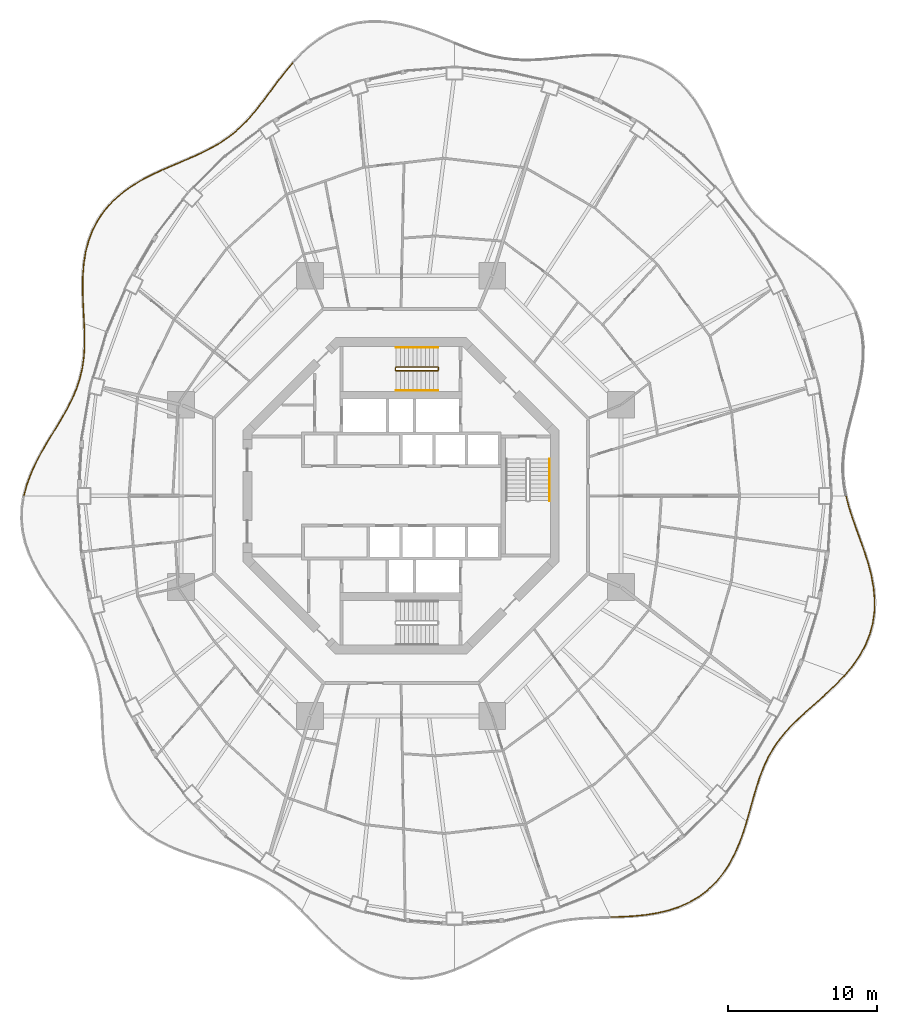
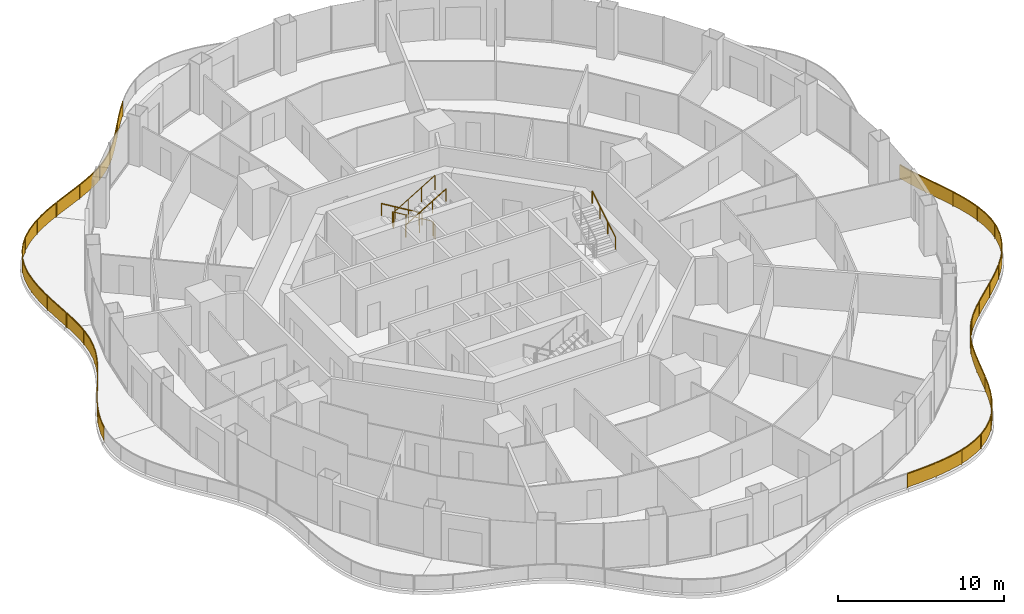
# One storey, part 18 of 19: 10 railings.
"""IFC4 building model written with IfcOpenShell, lengths in metres."""

from ifc_helpers import new_model, si_unit, direction, frame, origin, origin_2d, place, context, subcontext, project, spatial, polyline, rectangle, circle, outline, extrude, material, type_object, element, save


model = new_model("IFC4")

# Units and contexts
model_context = context("Model", 3, precision=1e-05, world=origin(), true_north=direction((0.0, 1.0)))
body_context = subcontext(model_context, "Body", "Model", "MODEL_VIEW")
ifc_project = project(units=[si_unit("LENGTHUNIT", "METRE"), si_unit("AREAUNIT", "SQUARE_METRE"), si_unit("VOLUMEUNIT", "CUBIC_METRE"), si_unit("PLANEANGLEUNIT", "RADIAN"), si_unit("MASSUNIT", "GRAM", prefix="KILO")], contexts=[model_context])

# Site, building, storey
site_placement = place(None, origin())
site = spatial("IfcSite", under=ifc_project, at=site_placement, CompositionType="ELEMENT")
building_placement = place(site_placement, origin())
building = spatial("IfcBuilding", under=site, at=building_placement, Name="Nagisa Residences", CompositionType="ELEMENT")
storey_placement = place(building_placement, frame((0.0, 0.0, 173.300048828125)))
storey = spatial("IfcBuildingStorey", under=building, at=storey_placement, Name="L43", CompositionType="ELEMENT", Elevation=173.300048828125)

# Railings
ifc_material_1 = material(Name="Stainless steel 316", Category="steel")
railing_type_1 = type_object("IfcRailingType", Name="BALCONY GUARD 1100", PredefinedType="BALUSTRADE", material=ifc_material_1)
railing_1_placement = place(storey_placement, frame((-7.27685546875, 29.069580078125, 0.0)))
element("IfcRailing", 1, at=railing_1_placement, inside=storey, type_object=railing_type_1, Name="guard:L43:bal05-0", PredefinedType="BALUSTRADE", context=body_context, shape_type="SweptSolid", body=[
    extrude(outline(polyline([(-0.459228515625, -0.583984375), (0.01904296875, -0.01611328125), (-0.01904296875, 0.01611328125), (-0.498291015625, -0.55224609375), (-0.9814453125, -1.16943359375), (-1.444580078125, -1.786865234375), (-1.895263671875, -2.3916015625), (-2.342529296875, -2.972412109375), (-2.7822265625, -3.511474609375), (-3.25, -4.0205078125), (-3.740966796875, -4.4873046875), (-4.2607421875, -4.91162109375), (-4.813720703125, -5.296142578125), (-5.390380859375, -5.634765625), (-6.0146484375, -5.956298828125), (-6.6708984375, -6.2587890625), (-7.353515625, -6.552490234375), (-8.0546875, -6.847900390625), (-8.723388671875, -7.135498046875), (-8.703369140625, -7.181396484375), (-8.03515625, -6.893798828125), (-7.333984375, -6.598388671875), (-6.650390625, -6.3046875), (-5.99267578125, -6.001220703125), (-5.366455078125, -5.6787109375), (-4.786865234375, -5.338134765625), (-4.23046875, -4.95166015625), (-3.707763671875, -4.52490234375), (-3.21435546875, -4.0556640625), (-2.744140625, -3.544189453125), (-2.303466796875, -3.003662109375), (-1.855224609375, -2.421875), (-1.404541015625, -1.816650390625), (-0.94189453125, -1.19970703125), (-0.459228515625, -0.583984375)])), frame((0.0, 0.0, 1.050048828125)), (0.0, 0.0, 1.0), 0.050048828125),
    extrude(outline(polyline([(-0.473388671875, -0.572509765625), (0.00537109375, -0.00439453125), (-0.00537109375, 0.00439453125), (-0.484130859375, -0.563720703125), (-0.96728515625, -1.180419921875), (-1.43017578125, -1.797607421875), (-1.880859375, -2.402587890625), (-2.328369140625, -2.983642578125), (-2.7685546875, -3.523193359375), (-3.237060546875, -4.033203125), (-3.72900390625, -4.500732421875), (-4.249755859375, -4.926025390625), (-4.803955078125, -5.311279296875), (-5.3818359375, -5.650634765625), (-6.0068359375, -5.972412109375), (-6.66357421875, -6.275390625), (-7.346435546875, -6.569091796875), (-8.047607421875, -6.864501953125), (-8.716064453125, -7.152099609375), (-8.710693359375, -7.164794921875), (-8.042236328125, -6.877197265625), (-7.341064453125, -6.581787109375), (-6.65771484375, -6.2880859375), (-6.00048828125, -5.985107421875), (-5.375, -5.662841796875), (-4.796630859375, -5.322998046875), (-4.241455078125, -4.937255859375), (-3.7197265625, -4.511474609375), (-3.227294921875, -4.04296875), (-2.7578125, -3.532470703125), (-2.317626953125, -2.992431640625), (-1.86962890625, -2.410888671875), (-1.4189453125, -1.805908203125), (-0.9560546875, -1.188720703125), (-0.473388671875, -0.572509765625)])), frame((0.0, 0.0, 0.06005859375)), (0.0, 0.0, 1.0), 0.989990234375),
    extrude(rectangle(XDim=0.0400390625, YDim=0.0400390625, at=origin_2d()), origin(), (0.0, 0.0, 1.0), 1.050048828125),
    extrude(rectangle(XDim=0.0400390625, YDim=0.0400390625, at=origin_2d()), frame((-1.429931640625, -1.808837890625, 0.0)), (0.0, 0.0, 1.0), 1.050048828125),
    extrude(rectangle(XDim=0.0400390625, YDim=0.0400390625, at=origin_2d()), frame((-2.8515625, -3.6240234375, 0.0)), (0.0, 0.0, 1.0), 1.050048828125),
    extrude(rectangle(XDim=0.0400390625, YDim=0.0400390625, at=origin_2d()), frame((-4.567626953125, -5.1552734375, 0.0)), (0.0, 0.0, 1.0), 1.050048828125),
    extrude(rectangle(XDim=0.0400390625, YDim=0.0400390625, at=origin_2d()), frame((-6.59326171875, -6.250732421875, 0.0)), (0.0, 0.0, 1.0), 1.050048828125),
    extrude(rectangle(XDim=0.0400390625, YDim=0.0400390625, at=origin_2d()), frame((-8.71337890625, -7.158447265625, 0.0)), (0.0, 0.0, 1.0), 1.050048828125),
])
railing_2_placement = place(storey_placement, frame((-16.060791015625, 21.881103515625, 0.0)))
element("IfcRailing", 2, at=railing_2_placement, inside=storey, type_object=railing_type_1, Name="guard:L43:bal06-0", PredefinedType="BALUSTRADE", context=body_context, shape_type="SweptSolid", body=[
    extrude(outline(polyline([(-0.689208984375, -0.34814453125), (0.010498046875, -0.022705078125), (-0.010498046875, 0.022705078125), (-0.711669921875, -0.30322265625), (-1.435791015625, -0.6865234375), (-2.127685546875, -1.11328125), (-2.773681640625, -1.590576171875), (-3.3603515625, -2.12060546875), (-3.87109375, -2.695068359375), (-4.312255859375, -3.333740234375), (-4.672119140625, -4.021484375), (-4.949951171875, -4.751953125), (-5.148681640625, -5.5166015625), (-5.268310546875, -6.294189453125), (-5.33203125, -7.100830078125), (-5.346435546875, -7.91455078125), (-5.325927734375, -8.7265625), (-5.287109375, -9.529052734375), (-5.246826171875, -10.2724609375), (-5.197021484375, -10.26953125), (-5.2373046875, -9.526611328125), (-5.276123046875, -8.724609375), (-5.296142578125, -7.91455078125), (-5.2822265625, -7.103271484375), (-5.218505859375, -6.300048828125), (-5.099365234375, -5.52685546875), (-4.902099609375, -4.76708984375), (-4.626220703125, -4.0419921875), (-4.269287109375, -3.359619140625), (-3.83154296875, -2.725830078125), (-3.32470703125, -2.15576171875), (-2.741943359375, -1.629150390625), (-2.099853515625, -1.15478515625), (-1.410888671875, -0.72998046875), (-0.689208984375, -0.34814453125)])), frame((0.0, 0.0, 1.050048828125)), (0.0, 0.0, 1.0), 0.050048828125),
    extrude(outline(polyline([(-0.697265625, -0.33203125), (0.0029296875, -0.00634765625), (-0.0029296875, 0.00634765625), (-0.70361328125, -0.3193359375), (-1.4267578125, -0.7021484375), (-2.11767578125, -1.128173828125), (-2.76220703125, -1.6044921875), (-3.347412109375, -2.13330078125), (-3.85693359375, -2.7060546875), (-4.296875, -3.343017578125), (-4.655517578125, -4.02880859375), (-4.9326171875, -4.75732421875), (-5.130859375, -5.520263671875), (-5.250244140625, -6.29638671875), (-5.314208984375, -7.101806640625), (-5.328369140625, -7.91455078125), (-5.30810546875, -8.725830078125), (-5.269287109375, -9.528076171875), (-5.22900390625, -10.271484375), (-5.21484375, -10.2705078125), (-5.255126953125, -9.527587890625), (-5.2939453125, -8.725341796875), (-5.314208984375, -7.91455078125), (-5.300048828125, -7.102294921875), (-5.236572265625, -6.2978515625), (-5.1171875, -5.523193359375), (-4.91943359375, -4.76171875), (-4.642822265625, -4.03466796875), (-4.28466796875, -3.350341796875), (-3.845703125, -2.71484375), (-3.337646484375, -2.14306640625), (-2.75341796875, -1.615234375), (-2.10986328125, -1.139892578125), (-1.419921875, -0.71435546875), (-0.697265625, -0.33203125)])), frame((0.0, 0.0, 0.06005859375)), (0.0, 0.0, 1.0), 0.989990234375),
    extrude(rectangle(XDim=0.0400390625, YDim=0.0400390625, at=origin_2d()), origin(), (0.0, 0.0, 1.0), 1.050048828125),
    extrude(rectangle(XDim=0.0400390625, YDim=0.0400390625, at=origin_2d()), frame((-1.861572265625, -0.978515625, 0.0)), (0.0, 0.0, 1.0), 1.050048828125),
    extrude(rectangle(XDim=0.0400390625, YDim=0.0400390625, at=origin_2d()), frame((-3.489013671875, -2.302734375, 0.0)), (0.0, 0.0, 1.0), 1.050048828125),
    extrude(rectangle(XDim=0.0400390625, YDim=0.0400390625, at=origin_2d()), frame((-4.654052734375, -4.04443359375, 0.0)), (0.0, 0.0, 1.0), 1.050048828125),
    extrude(rectangle(XDim=0.0400390625, YDim=0.0400390625, at=origin_2d()), frame((-5.2080078125, -6.06787109375, 0.0)), (0.0, 0.0, 1.0), 1.050048828125),
    extrude(rectangle(XDim=0.0400390625, YDim=0.0400390625, at=origin_2d()), frame((-5.31494140625, -8.16796875, 0.0)), (0.0, 0.0, 1.0), 1.050048828125),
    extrude(rectangle(XDim=0.0400390625, YDim=0.0400390625, at=origin_2d()), frame((-5.221923828125, -10.27099609375, 0.0)), (0.0, 0.0, 1.0), 1.050048828125),
])
railing_3_placement = place(storey_placement, frame((-21.27734375, 11.535400390625, 0.0)))
element("IfcRailing", 3, at=railing_3_placement, inside=storey, type_object=railing_type_1, Name="guard:L43:bal07-0", PredefinedType="BALUSTRADE", context=body_context, shape_type="SweptSolid", body=[
    extrude(outline(polyline([(0.0517578125, -0.74755859375), (0.02490234375, 0.0009765625), (-0.02490234375, -0.0009765625), (0.00146484375, -0.74853515625), (-0.0029296875, -1.515869140625), (-0.052734375, -2.259521484375), (-0.15771484375, -2.98046875), (-0.32421875, -3.6826171875), (-0.551025390625, -4.356689453125), (-0.842041015625, -5.0361328125), (-1.187255859375, -5.713623046875), (-1.575439453125, -6.39501953125), (-1.992431640625, -7.085205078125), (-2.419189453125, -7.774658203125), (-2.84033203125, -8.494384765625), (-3.234619140625, -9.2314453125), (-3.583251953125, -9.986083984375), (-3.868896484375, -10.755615234375), (-4.06591796875, -11.491455078125), (-4.017578125, -11.504638671875), (-3.821044921875, -10.770751953125), (-3.536865234375, -10.005126953125), (-3.189697265625, -9.25390625), (-2.796875, -8.518798828125), (-2.376220703125, -7.800537109375), (-1.949951171875, -7.111083984375), (-1.532470703125, -6.42041015625), (-1.143310546875, -5.737548828125), (-0.796630859375, -5.0576171875), (-0.504150390625, -4.374755859375), (-0.27587890625, -3.6962890625), (-0.1083984375, -2.98974609375), (-0.0029296875, -2.264892578125), (0.046875, -1.517822265625), (0.0517578125, -0.74755859375)])), frame((0.0, 0.0, 1.050048828125)), (0.0, 0.0, 1.0), 0.050048828125),
    extrude(outline(polyline([(0.03369140625, -0.748046875), (0.007080078125, 0.000244140625), (-0.007080078125, -0.000244140625), (0.01953125, -0.748046875), (0.014892578125, -1.5166015625), (-0.034912109375, -2.261474609375), (-0.139892578125, -2.98388671875), (-0.306884765625, -3.6875), (-0.5341796875, -4.36328125), (-0.82568359375, -5.0439453125), (-1.17138671875, -5.72216796875), (-1.56005859375, -6.404052734375), (-1.97705078125, -7.094482421875), (-2.40380859375, -7.783935546875), (-2.82470703125, -8.503173828125), (-3.218505859375, -9.239501953125), (-3.56640625, -9.992919921875), (-3.8515625, -10.760986328125), (-4.048583984375, -11.496337890625), (-4.034912109375, -11.499755859375), (-3.83837890625, -10.765380859375), (-3.5537109375, -9.998291015625), (-3.205810546875, -9.245849609375), (-2.8125, -8.510009765625), (-2.3916015625, -7.791259765625), (-1.96533203125, -7.101806640625), (-1.5478515625, -6.411376953125), (-1.1591796875, -5.72900390625), (-0.81298828125, -5.0498046875), (-0.52099609375, -4.3681640625), (-0.293212890625, -3.69140625), (-0.126220703125, -2.986328125), (-0.020751953125, -2.262939453125), (0.029052734375, -1.51708984375), (0.03369140625, -0.748046875)])), frame((0.0, 0.0, 0.06005859375)), (0.0, 0.0, 1.0), 0.989990234375),
    extrude(rectangle(XDim=0.0400390625, YDim=0.0400390625, at=origin_2d()), origin(), (0.0, 0.0, 1.0), 1.050048828125),
    extrude(rectangle(XDim=0.0400390625, YDim=0.0400390625, at=origin_2d()), frame((-0.014892578125, -2.0673828125, 0.0)), (0.0, 0.0, 1.0), 1.050048828125),
    extrude(rectangle(XDim=0.0400390625, YDim=0.0400390625, at=origin_2d()), frame((-0.433837890625, -4.0869140625, 0.0)), (0.0, 0.0, 1.0), 1.050048828125),
    extrude(rectangle(XDim=0.0400390625, YDim=0.0400390625, at=origin_2d()), frame((-1.300048828125, -5.9619140625, 0.0)), (0.0, 0.0, 1.0), 1.050048828125),
    extrude(rectangle(XDim=0.0400390625, YDim=0.0400390625, at=origin_2d()), frame((-2.365478515625, -7.7353515625, 0.0)), (0.0, 0.0, 1.0), 1.050048828125),
    extrude(rectangle(XDim=0.0400390625, YDim=0.0400390625, at=origin_2d()), frame((-3.354736328125, -9.55126953125, 0.0)), (0.0, 0.0, 1.0), 1.050048828125),
    extrude(rectangle(XDim=0.0400390625, YDim=0.0400390625, at=origin_2d()), frame((-4.041748046875, -11.498046875, 0.0)), (0.0, 0.0, 1.0), 1.050048828125),
])
railing_4_placement = place(storey_placement, frame((14.108154296875, -28.28857421875, 0.0)))
element("IfcRailing", 4, at=railing_4_placement, inside=storey, type_object=railing_type_1, Name="guard:L43:bal13-0", PredefinedType="BALUSTRADE", context=body_context, shape_type="SweptSolid", body=[
    extrude(outline(polyline([(0.72802734375, 0.046142578125), (-0.000732421875, 0.02490234375), (0.000732421875, -0.02490234375), (0.72998046875, -0.003662109375), (1.514404296875, 0.041259765625), (2.300537109375, 0.119140625), (3.078857421875, 0.241943359375), (3.838134765625, 0.41943359375), (4.559814453125, 0.653076171875), (5.2568359375, 0.96435546875), (5.90869140625, 1.346923828125), (6.508056640625, 1.800537109375), (7.050048828125, 2.322021484375), (7.5205078125, 2.894775390625), (7.943359375, 3.531494140625), (8.30908203125, 4.21240234375), (8.623779296875, 4.92578125), (8.89453125, 5.66015625), (9.114990234375, 6.361328125), (9.067138671875, 6.37646484375), (8.84716796875, 5.67626953125), (8.577392578125, 4.9443359375), (8.26416015625, 4.234375), (7.900390625, 3.557373046875), (7.47998046875, 2.924560546875), (7.013427734375, 2.356201171875), (6.475341796875, 1.838623046875), (5.880859375, 1.388427734375), (5.23388671875, 1.0087890625), (4.541748046875, 0.699951171875), (3.824951171875, 0.4677734375), (3.069091796875, 0.291259765625), (2.294189453125, 0.1689453125), (1.510498046875, 0.091064453125), (0.72802734375, 0.046142578125)])), frame((0.0, 0.0, 1.050048828125)), (0.0, 0.0, 1.0), 0.050048828125),
    extrude(outline(polyline([(0.728759765625, 0.0283203125), (-0.000244140625, 0.007080078125), (0.000244140625, -0.007080078125), (0.729248046875, 0.01416015625), (1.512939453125, 0.05908203125), (2.29833984375, 0.13720703125), (3.075439453125, 0.259765625), (3.83349609375, 0.436767578125), (4.55322265625, 0.669921875), (5.24853515625, 0.980224609375), (5.898681640625, 1.36181640625), (6.496337890625, 1.814208984375), (7.036865234375, 2.33447265625), (7.505859375, 2.905517578125), (7.927978515625, 3.540771484375), (8.29296875, 4.22021484375), (8.607177734375, 4.932373046875), (8.87744140625, 5.666015625), (9.09765625, 6.36669921875), (9.08447265625, 6.37109375), (8.8642578125, 5.67041015625), (8.593994140625, 4.937744140625), (8.2802734375, 4.2265625), (7.915771484375, 3.548095703125), (7.49462890625, 2.913818359375), (7.026611328125, 2.34375), (6.487060546875, 1.824951171875), (5.890869140625, 1.37353515625), (5.2421875, 0.992919921875), (4.54833984375, 0.68310546875), (3.82958984375, 0.450439453125), (3.072509765625, 0.2734375), (2.29638671875, 0.15087890625), (1.511962890625, 0.0732421875), (0.728759765625, 0.0283203125)])), frame((0.0, 0.0, 0.06005859375)), (0.0, 0.0, 1.0), 0.989990234375),
    extrude(rectangle(XDim=0.0400390625, YDim=0.0400390625, at=origin_2d()), origin(), (0.0, 0.0, 1.0), 1.050048828125),
    extrude(rectangle(XDim=0.0400390625, YDim=0.0400390625, at=origin_2d()), frame((2.029052734375, 0.117431640625, 0.0)), (0.0, 0.0, 1.0), 1.050048828125),
    extrude(rectangle(XDim=0.0400390625, YDim=0.0400390625, at=origin_2d()), frame((4.021240234375, 0.505126953125, 0.0)), (0.0, 0.0, 1.0), 1.050048828125),
    extrude(rectangle(XDim=0.0400390625, YDim=0.0400390625, at=origin_2d()), frame((5.863037109375, 1.348876953125, 0.0)), (0.0, 0.0, 1.0), 1.050048828125),
    extrude(rectangle(XDim=0.0400390625, YDim=0.0400390625, at=origin_2d()), frame((7.347900390625, 2.72412109375, 0.0)), (0.0, 0.0, 1.0), 1.050048828125),
    extrude(rectangle(XDim=0.0400390625, YDim=0.0400390625, at=origin_2d()), frame((8.391845703125, 4.461669921875, 0.0)), (0.0, 0.0, 1.0), 1.050048828125),
    extrude(rectangle(XDim=0.0400390625, YDim=0.0400390625, at=origin_2d()), frame((9.091064453125, 6.368896484375, 0.0)), (0.0, 0.0, 1.0), 1.050048828125),
])
railing_5_placement = place(storey_placement, frame((23.219970703125, -21.845947265625, 0.0)))
element("IfcRailing", 5, at=railing_5_placement, inside=storey, type_object=railing_type_1, Name="guard:L43:bal14-0", PredefinedType="BALUSTRADE", context=body_context, shape_type="SweptSolid", body=[
    extrude(outline(polyline([(0.18505859375, 0.7421875), (-0.024169921875, 0.0068359375), (0.024169921875, -0.0068359375), (0.2333984375, 0.728515625), (0.446533203125, 1.494140625), (0.66259765625, 2.237548828125), (0.895751953125, 2.951171875), (1.15771484375, 3.630859375), (1.450927734375, 4.26220703125), (1.79931640625, 4.871337890625), (2.198486328125, 5.449462890625), (2.649658203125, 6.00146484375), (3.149658203125, 6.53515625), (3.685302734375, 7.044677734375), (4.260009765625, 7.565185546875), (4.854248046875, 8.092041015625), (5.453125, 8.6328125), (6.04052734375, 9.19482421875), (6.5693359375, 9.748291015625), (6.533203125, 9.782958984375), (6.0048828125, 9.22998046875), (5.4189453125, 8.66943359375), (4.821044921875, 8.129150390625), (4.226806640625, 7.602294921875), (3.651123046875, 7.081298828125), (3.114013671875, 6.5703125), (2.612060546875, 6.03466796875), (2.158447265625, 5.479736328125), (1.7568359375, 4.898193359375), (1.406494140625, 4.28515625), (1.11181640625, 3.650390625), (0.848388671875, 2.9677734375), (0.61474609375, 2.252197265625), (0.398193359375, 1.5078125), (0.18505859375, 0.7421875)])), frame((0.0, 0.0, 1.050048828125)), (0.0, 0.0, 1.0), 0.050048828125),
    extrude(outline(polyline([(0.202392578125, 0.7373046875), (-0.0068359375, 0.001953125), (0.0068359375, -0.001953125), (0.216064453125, 0.7333984375), (0.42919921875, 1.4990234375), (0.645263671875, 2.242919921875), (0.878662109375, 2.95703125), (1.14111328125, 3.637939453125), (1.434814453125, 4.2705078125), (1.783935546875, 4.881103515625), (2.18408203125, 5.46044921875), (2.63623046875, 6.013427734375), (3.13671875, 6.5478515625), (3.673095703125, 7.057861328125), (4.248046875, 7.57861328125), (4.84228515625, 8.10546875), (5.44091796875, 8.64599609375), (6.027587890625, 9.20751953125), (6.556396484375, 9.7607421875), (6.546142578125, 9.7705078125), (6.017822265625, 9.21728515625), (5.43115234375, 8.65625), (4.8330078125, 8.11572265625), (4.23876953125, 7.5888671875), (3.663330078125, 7.068115234375), (3.126953125, 6.5576171875), (2.62548828125, 6.022705078125), (2.1728515625, 5.46875), (1.772216796875, 4.888427734375), (1.422607421875, 4.27685546875), (1.12841796875, 3.643310546875), (0.865478515625, 2.9619140625), (0.632080078125, 2.246826171875), (0.41552734375, 1.5029296875), (0.202392578125, 0.7373046875)])), frame((0.0, 0.0, 0.06005859375)), (0.0, 0.0, 1.0), 0.989990234375),
    extrude(rectangle(XDim=0.0400390625, YDim=0.0400390625, at=origin_2d()), origin(), (0.0, 0.0, 1.0), 1.050048828125),
    extrude(rectangle(XDim=0.0400390625, YDim=0.0400390625, at=origin_2d()), frame((0.54833984375, 1.934326171875, 0.0)), (0.0, 0.0, 1.0), 1.050048828125),
    extrude(rectangle(XDim=0.0400390625, YDim=0.0400390625, at=origin_2d()), frame((1.22119140625, 3.826904296875, 0.0)), (0.0, 0.0, 1.0), 1.050048828125),
    extrude(rectangle(XDim=0.0400390625, YDim=0.0400390625, at=origin_2d()), frame((2.247802734375, 5.54931640625, 0.0)), (0.0, 0.0, 1.0), 1.050048828125),
    extrude(rectangle(XDim=0.0400390625, YDim=0.0400390625, at=origin_2d()), frame((3.619140625, 7.016357421875, 0.0)), (0.0, 0.0, 1.0), 1.050048828125),
    extrude(rectangle(XDim=0.0400390625, YDim=0.0400390625, at=origin_2d()), frame((5.1142578125, 8.360595703125, 0.0)), (0.0, 0.0, 1.0), 1.050048828125),
    extrude(rectangle(XDim=0.0400390625, YDim=0.0400390625, at=origin_2d()), frame((6.55126953125, 9.765625, 0.0)), (0.0, 0.0, 1.0), 1.050048828125),
])
railing_6_placement = place(storey_placement, frame((29.8232421875, -12.0234375, 0.0)))
element("IfcRailing", 6, at=railing_6_placement, inside=storey, type_object=railing_type_1, Name="guard:L43:bal15-0", PredefinedType="BALUSTRADE", context=body_context, shape_type="SweptSolid", body=[
    extrude(outline(polyline([(0.481689453125, 0.616455078125), (-0.019287109375, 0.01611328125), (0.019287109375, -0.01611328125), (0.521728515625, 0.586181640625), (0.988037109375, 1.2587890625), (1.376953125, 1.96533203125), (1.677734375, 2.702880859375), (1.88427734375, 3.46826171875), (1.99072265625, 4.2412109375), (2.0068359375, 5.042724609375), (1.936279296875, 5.85302734375), (1.789794921875, 6.66455078125), (1.5830078125, 7.471923828125), (1.330810546875, 8.256103515625), (1.055908203125, 9.040771484375), (0.775390625, 9.81103515625), (0.508544921875, 10.56591796875), (0.2724609375, 11.306640625), (0.091796875, 11.99560546875), (0.04345703125, 11.98291015625), (0.224609375, 11.29248046875), (0.461181640625, 10.5498046875), (0.728515625, 9.7939453125), (1.008544921875, 9.024169921875), (1.283447265625, 8.239990234375), (1.53466796875, 7.458251953125), (1.740966796875, 6.65380859375), (1.886474609375, 5.84619140625), (1.95654296875, 5.041259765625), (1.94091796875, 4.2451171875), (1.8349609375, 3.47802734375), (1.63037109375, 2.718994140625), (1.33154296875, 1.98681640625), (0.945556640625, 1.28515625), (0.481689453125, 0.616455078125)])), frame((0.0, 0.0, 1.050048828125)), (0.0, 0.0, 1.0), 0.050048828125),
    extrude(outline(polyline([(0.49609375, 0.60546875), (-0.00537109375, 0.00439453125), (0.00537109375, -0.00439453125), (0.50732421875, 0.59716796875), (0.97265625, 1.268310546875), (1.360595703125, 1.97314453125), (1.66064453125, 2.708740234375), (1.866455078125, 3.4716796875), (1.972900390625, 4.24267578125), (1.98876953125, 5.042236328125), (1.918212890625, 5.8505859375), (1.772216796875, 6.66064453125), (1.565673828125, 7.467041015625), (1.313720703125, 8.250244140625), (1.038818359375, 9.034912109375), (0.758544921875, 9.804931640625), (0.491455078125, 10.56005859375), (0.25537109375, 11.301513671875), (0.074462890625, 11.990966796875), (0.060791015625, 11.987548828125), (0.24169921875, 11.297607421875), (0.478271484375, 10.5556640625), (0.745361328125, 9.800048828125), (1.025634765625, 9.030029296875), (1.300537109375, 8.245849609375), (1.552001953125, 7.463134765625), (1.758544921875, 6.65771484375), (1.904541015625, 5.8486328125), (1.974609375, 5.041748046875), (1.958740234375, 4.24365234375), (1.852783203125, 3.474609375), (1.6474609375, 2.713134765625), (1.347900390625, 1.97900390625), (0.9609375, 1.275634765625), (0.49609375, 0.60546875)])), frame((0.0, 0.0, 0.06005859375)), (0.0, 0.0, 1.0), 0.989990234375),
    extrude(rectangle(XDim=0.0400390625, YDim=0.0400390625, at=origin_2d()), origin(), (0.0, 0.0, 1.0), 1.050048828125),
    extrude(rectangle(XDim=0.0400390625, YDim=0.0400390625, at=origin_2d()), frame((1.2236328125, 1.739013671875, 0.0)), (0.0, 0.0, 1.0), 1.050048828125),
    extrude(rectangle(XDim=0.0400390625, YDim=0.0400390625, at=origin_2d()), frame((1.897705078125, 3.7490234375, 0.0)), (0.0, 0.0, 1.0), 1.050048828125),
    extrude(rectangle(XDim=0.0400390625, YDim=0.0400390625, at=origin_2d()), frame((1.9072265625, 5.872802734375, 0.0)), (0.0, 0.0, 1.0), 1.050048828125),
    extrude(rectangle(XDim=0.0400390625, YDim=0.0400390625, at=origin_2d()), frame((1.405517578125, 7.9423828125, 0.0)), (0.0, 0.0, 1.0), 1.050048828125),
    extrude(rectangle(XDim=0.0400390625, YDim=0.0400390625, at=origin_2d()), frame((0.698486328125, 9.953857421875, 0.0)), (0.0, 0.0, 1.0), 1.050048828125),
    extrude(rectangle(XDim=0.0400390625, YDim=0.0400390625, at=origin_2d()), frame((0.067626953125, 11.9892578125, 0.0)), (0.0, 0.0, 1.0), 1.050048828125),
])
ifc_material_2 = material(Name="Stainless steel", Category="steel")
railing_type_2 = type_object("IfcRailingType", Name="Stair guard 1100", PredefinedType="GUARDRAIL", material=ifc_material_2)
railing_7_placement = place(storey_placement, frame((2.52490234375, 8.44970703125, 0.0)))
element("IfcRailing", 7, at=railing_7_placement, inside=storey, type_object=railing_type_2, Name="L43 ST-N stair guard 1", PredefinedType="GUARDRAIL", context=body_context, shape_type="SweptSolid", body=[
    extrude(circle(Radius=0.02392578125, at=origin_2d()), frame((0.0, 0.0, 1.076171875), z_axis=(0.0, 1.0, 0.0), x_axis=(-1.0, 0.0, 0.0)), (0.0, 0.0, 1.0), 0.14990234375),
    extrude(circle(Radius=0.02392578125, at=origin_2d()), frame((0.0, 0.14990234375, 1.076171875), z_axis=(-0.273006030465, 0.27434429532, 0.922064485248), x_axis=(-0.708833529934, -0.705375805398, 0.0)), (0.0, 0.0, 1.0), 0.182373046875),
    extrude(circle(Radius=0.02392578125, at=origin_2d()), frame((-0.0498046875, 0.199951171875, 1.244140625), z_axis=(-0.857275202839, 0.0, 0.514858452973), x_axis=(0.0, -1.0, 0.0)), (0.0, 0.0, 1.0), 3.26611328125),
    extrude(circle(Radius=0.02392578125, at=origin_2d()), frame((-2.849853515625, 0.199951171875, 2.92578125), z_axis=(-0.707106781187, -0.707106781187, 0.0), x_axis=(0.707106781187, -0.707106781187, 0.0)), (0.0, 0.0, 1.0), 0.07080078125),
    extrude(circle(Radius=0.02392578125, at=origin_2d()), frame((-2.89990234375, 0.14990234375, 2.92578125), z_axis=(0.0, -1.0, 0.0), x_axis=(1.0, 0.0, 0.0)), (0.0, 0.0, 1.0), 0.14990234375),
    extrude(circle(Radius=0.02392578125, at=origin_2d()), frame((-2.89990234375, 0.0, 2.92578125), z_axis=(0.274243871929, -0.274243871929, 0.92172696468), x_axis=(0.707106781187, 0.707106781187, 0.0)), (0.0, 0.0, 1.0), 0.1826171875),
    extrude(circle(Radius=0.02392578125, at=origin_2d()), frame((-2.849853515625, -0.050048828125, 3.09423828125), z_axis=(0.857242210791, 0.0, 0.514913383045), x_axis=(0.0, 1.0, 0.0)), (0.0, 0.0, 1.0), 3.266357421875),
    extrude(circle(Radius=0.02099609375, at=origin_2d()), origin(), (0.0, 0.0, 1.0), 1.052001953125),
    extrude(circle(Radius=0.02099609375, at=origin_2d()), frame((0.0, 0.14990234375, 0.0)), (0.0, 0.0, 1.0), 1.052001953125),
    extrude(circle(Radius=0.02099609375, at=origin_2d()), frame((-0.0498046875, 0.199951171875, 0.168212890625)), (0.0, 0.0, 1.0), 1.052001953125),
    extrude(circle(Radius=0.02099609375, at=origin_2d()), frame((-0.983154296875, 0.199951171875, 0.728759765625)), (0.0, 0.0, 1.0), 1.052001953125),
    extrude(circle(Radius=0.02099609375, at=origin_2d()), frame((-1.91650390625, 0.199951171875, 1.289306640625)), (0.0, 0.0, 1.0), 1.052001953125),
    extrude(circle(Radius=0.02099609375, at=origin_2d()), frame((-2.849853515625, 0.199951171875, 1.849853515625)), (0.0, 0.0, 1.0), 1.052001953125),
    extrude(circle(Radius=0.02099609375, at=origin_2d()), frame((-2.89990234375, 0.14990234375, 1.849853515625)), (0.0, 0.0, 1.0), 1.052001953125),
    extrude(circle(Radius=0.02099609375, at=origin_2d()), frame((-2.89990234375, 0.0, 1.849853515625)), (0.0, 0.0, 1.0), 1.052001953125),
    extrude(circle(Radius=0.02099609375, at=origin_2d()), frame((-2.849853515625, -0.050048828125, 2.01806640625)), (0.0, 0.0, 1.0), 1.052001953125),
    extrude(circle(Radius=0.02099609375, at=origin_2d()), frame((-1.91650390625, -0.050048828125, 2.57861328125)), (0.0, 0.0, 1.0), 1.052001953125),
    extrude(circle(Radius=0.02099609375, at=origin_2d()), frame((-0.983154296875, -0.050048828125, 3.139404296875)), (0.0, 0.0, 1.0), 1.052001953125),
    extrude(circle(Radius=0.02099609375, at=origin_2d()), frame((-0.0498046875, -0.050048828125, 3.699951171875)), (0.0, 0.0, 1.0), 1.052001953125),
])
ifc_material_3 = material(Name="Stainless steel", Category="steel")
railing_type_3 = type_object("IfcRailingType", Name="Stair handrail 900", PredefinedType="HANDRAIL", material=ifc_material_3)
railing_8_placement = place(storey_placement, frame((9.974609375, -0.324951171875, 2.01806640625)))
element("IfcRailing", 8, at=railing_8_placement, inside=storey, type_object=railing_type_3, Name="L43 ST-E stair handrail 2", PredefinedType="HANDRAIL", context=body_context, shape_type="SweptSolid", body=[
    extrude(circle(Radius=0.02392578125, at=origin_2d()), frame((0.0, 0.0, 0.8759765625), z_axis=(0.0, 0.857242210791, 0.514913383045), x_axis=(-1.0, 0.0, 0.0)), (0.0, 0.0, 1.0), 3.266357421875),
    extrude(circle(Radius=0.02099609375, at=origin_2d()), origin(), (0.0, 0.0, 1.0), 0.851806640625),
    extrude(circle(Radius=0.02099609375, at=origin_2d()), frame((0.0, 0.933349609375, 0.560546875)), (0.0, 0.0, 1.0), 0.851806640625),
    extrude(circle(Radius=0.02099609375, at=origin_2d()), frame((0.0, 1.86669921875, 1.121337890625)), (0.0, 0.0, 1.0), 0.851806640625),
    extrude(circle(Radius=0.02099609375, at=origin_2d()), frame((0.0, 2.800048828125, 1.681884765625)), (0.0, 0.0, 1.0), 0.851806640625),
])
railing_9_placement = place(storey_placement, frame((2.47509765625, 9.974609375, 0.168212890625)))
element("IfcRailing", 9, at=railing_9_placement, inside=storey, type_object=railing_type_3, Name="L43 ST-N stair handrail 1", PredefinedType="HANDRAIL", context=body_context, shape_type="SweptSolid", body=[
    extrude(circle(Radius=0.02392578125, at=origin_2d()), frame((0.0, 0.0, 0.8759765625), z_axis=(-0.857275202839, 0.0, 0.514858452973), x_axis=(0.0, -1.0, 0.0)), (0.0, 0.0, 1.0), 3.26611328125),
    extrude(circle(Radius=0.02099609375, at=origin_2d()), origin(), (0.0, 0.0, 1.0), 0.851806640625),
    extrude(circle(Radius=0.02099609375, at=origin_2d()), frame((-0.933349609375, 0.0, 0.560546875)), (0.0, 0.0, 1.0), 0.851806640625),
    extrude(circle(Radius=0.02099609375, at=origin_2d()), frame((-1.86669921875, 0.0, 1.12109375)), (0.0, 0.0, 1.0), 0.851806640625),
    extrude(circle(Radius=0.02099609375, at=origin_2d()), frame((-2.800048828125, 0.0, 1.681640625)), (0.0, 0.0, 1.0), 0.851806640625),
])
railing_10_placement = place(storey_placement, frame((-0.324951171875, 7.07470703125, 2.01806640625)))
element("IfcRailing", 10, at=railing_10_placement, inside=storey, type_object=railing_type_3, Name="L43 ST-N stair handrail 2", PredefinedType="HANDRAIL", context=body_context, shape_type="SweptSolid", body=[
    extrude(circle(Radius=0.02392578125, at=origin_2d()), frame((0.0, 0.0, 0.8759765625), z_axis=(0.857242210791, 0.0, 0.514913383045), x_axis=(0.0, 1.0, 0.0)), (0.0, 0.0, 1.0), 3.266357421875),
    extrude(circle(Radius=0.02099609375, at=origin_2d()), origin(), (0.0, 0.0, 1.0), 0.851806640625),
    extrude(circle(Radius=0.02099609375, at=origin_2d()), frame((0.933349609375, 0.0, 0.560546875)), (0.0, 0.0, 1.0), 0.851806640625),
    extrude(circle(Radius=0.02099609375, at=origin_2d()), frame((1.86669921875, 0.0, 1.121337890625)), (0.0, 0.0, 1.0), 0.851806640625),
    extrude(circle(Radius=0.02099609375, at=origin_2d()), frame((2.800048828125, 0.0, 1.681884765625)), (0.0, 0.0, 1.0), 0.851806640625),
])

save(model, "model.ifc")
